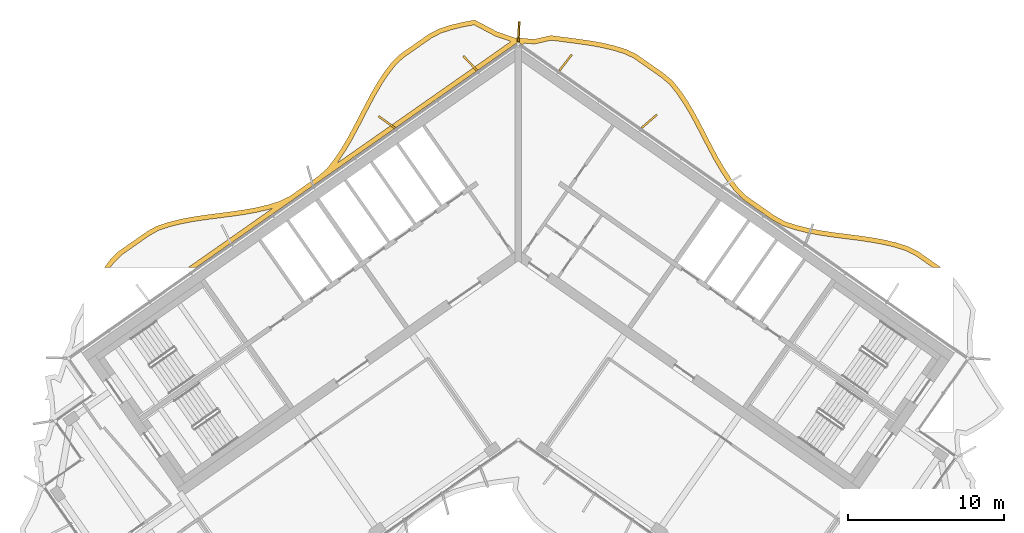
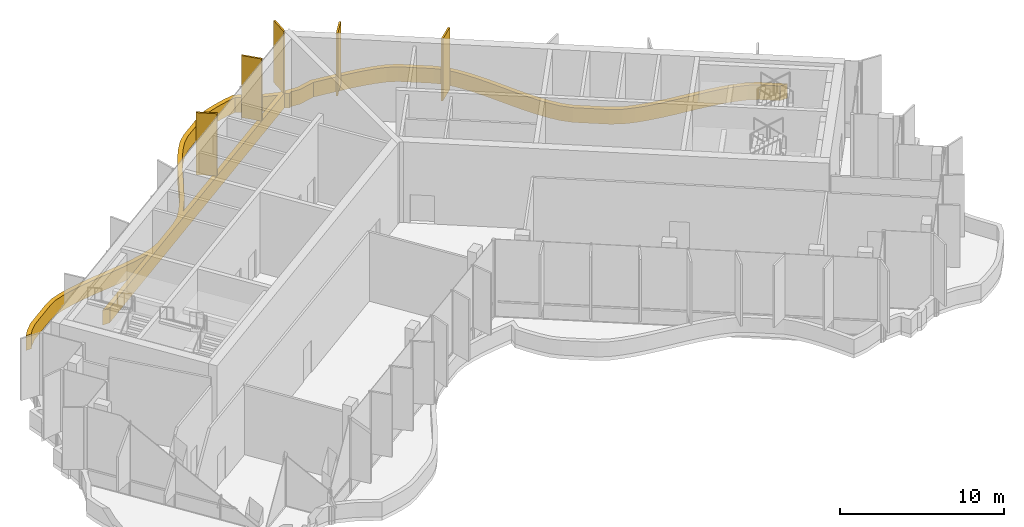
# One storey, part 18 of 18: 6 shading devices.
"""IFC4 building model written with IfcOpenShell, lengths in metres."""

import ifcopenshell
import ifcopenshell.guid

model = None  # the IFC model being written
_history = None  # IfcOwnerHistory: only IFC2X3 demands one
_inside = {}  # id of a spatial element -> (the spatial element, [elements in it])
_under = {}  # id of a project, library or spatial element -> (it, [spatial elements below it])
_declared = {}  # id of a project -> (the project, [libraries it declares])
_typed = {}  # id of a type object -> (the type object, [elements of that type])
_made_of = {}  # id of a material, layer set ... -> (it, [elements and type objects made of it])


def new_model(schema):
    """Start an empty IFC model of exactly this schema.

    Asked for "IFC4X3", IfcOpenShell would pick the latest addendum, in which some entities
    have other attributes; the version numbers below select the first issue.
    IFC2X3 requires an IfcOwnerHistory on every rooted entity: one is made here for all.
    """
    global model, _history
    if schema == "IFC4X3":
        model = ifcopenshell.file(schema_version=(4, 3, 0, 0))
    else:
        model = ifcopenshell.file(schema=schema)
    _inside.clear()
    _under.clear()
    _declared.clear()
    _typed.clear()
    _made_of.clear()
    _history = None
    if model.schema == "IFC2X3":
        org = make("IfcOrganization", Name="unknown")
        user = make(
            "IfcPersonAndOrganization",
            ThePerson=make("IfcPerson", FamilyName="unknown"),
            TheOrganization=org,
        )
        app = make(
            "IfcApplication",
            ApplicationDeveloper=org,
            Version="unknown",
            ApplicationFullName="unknown",
            ApplicationIdentifier="unknown",
        )
        _history = make(
            "IfcOwnerHistory",
            OwningUser=user,
            OwningApplication=app,
            ChangeAction="ADDED",
            CreationDate=0,
        )
    return model


def make(cls, **values):
    """One entity of the class cls with the attributes given. An attribute that is None is left unset."""
    return model.create_entity(
        cls, **{name: value for name, value in values.items() if value is not None}
    )


def rooted(cls, **values):
    """An entity with a GlobalId (a new one), such as an element, a storey or a relation."""
    return make(cls, GlobalId=ifcopenshell.guid.new(), OwnerHistory=_history, **values)


def si_unit(unit_type, name, prefix=None):
    """IfcSIUnit, for example si_unit("LENGTHUNIT", "METRE", prefix="MILLI")."""
    return make("IfcSIUnit", UnitType=unit_type, Prefix=prefix, Name=name)


def assignment(units):
    """IfcUnitAssignment: the units of a project."""
    return None if units is None else make("IfcUnitAssignment", Units=units)


def point(xyz):
    """IfcCartesianPoint."""
    return None if xyz is None else make("IfcCartesianPoint", Coordinates=xyz)


def direction(xyz):
    """IfcDirection."""
    return None if xyz is None else make("IfcDirection", DirectionRatios=xyz)


def frame(location, z_axis=None, x_axis=None):
    """IfcAxis2Placement3D, a coordinate frame: its origin and axes. An axis left out is left unset."""
    return make(
        "IfcAxis2Placement3D",
        Location=point(location),
        Axis=direction(z_axis),
        RefDirection=direction(x_axis),
    )


def frame_2d(location, x_axis=None):
    """IfcAxis2Placement2D, a coordinate frame in the plane: its origin and x axis."""
    return make(
        "IfcAxis2Placement2D", Location=point(location), RefDirection=direction(x_axis)
    )


def origin():
    """The frame at (0, 0, 0) with its axes left unset."""
    return frame((0.0, 0.0, 0.0))


def origin_2d():
    """The frame at (0, 0) in the plane with its x axis left unset."""
    return frame_2d((0.0, 0.0))


def place(relative_to, where):
    """IfcLocalPlacement: puts the frame where relative to a parent placement (None: the world)."""
    return make(
        "IfcLocalPlacement", PlacementRelTo=relative_to, RelativePlacement=where
    )


def context(
    kind, dimensions, precision=None, world=None, true_north=None, identifier=None
):
    """IfcGeometricRepresentationContext, for example the 3D "Model" context."""
    return make(
        "IfcGeometricRepresentationContext",
        ContextIdentifier=identifier,
        ContextType=kind,
        CoordinateSpaceDimension=dimensions,
        Precision=precision,
        WorldCoordinateSystem=world,
        TrueNorth=true_north,
    )


def subcontext(parent, identifier, kind, view, scale=None):
    """IfcGeometricRepresentationSubContext, for example "Body" below "Model"."""
    return make(
        "IfcGeometricRepresentationSubContext",
        ContextIdentifier=identifier,
        ContextType=kind,
        ParentContext=parent,
        TargetScale=scale,
        TargetView=view,
    )


def project(units=None, contexts=None):
    """IfcProject with its units and contexts."""
    return rooted(
        "IfcProject",
        Name="project",
        RepresentationContexts=contexts,
        UnitsInContext=assignment(units),
    )


def spatial(cls, under=None, at=None, **own):
    """A site, building, storey or space (cls), placed at a placement, below another one or the project."""
    s = rooted(cls, ObjectPlacement=at, **own)
    if under is not None:
        _under.setdefault(under.id(), (under, []))[1].append(s)
    return s


def polyline(points):
    """IfcPolyline through the points."""
    return make("IfcPolyline", Points=[point(p) for p in points])


def profile(cls, at=None, kind="AREA", **sizes):
    """A parametric profile (cls). Its sizes go by their IFC names, for example OverallWidth=200.0."""
    return make(cls, ProfileType=kind, Position=at, **sizes)


def rectangle(**sizes):
    """IfcRectangleProfileDef."""
    return profile("IfcRectangleProfileDef", **sizes)


def outline(outer, holes=None, kind="AREA"):
    """IfcArbitraryClosedProfileDef: a profile drawn as a closed curve; with holes, ...WithVoids."""
    if holes is None:
        return make("IfcArbitraryClosedProfileDef", ProfileType=kind, OuterCurve=outer)
    return make(
        "IfcArbitraryProfileDefWithVoids",
        ProfileType=kind,
        OuterCurve=outer,
        InnerCurves=holes,
    )


def extrude(swept, where, along, depth):
    """IfcExtrudedAreaSolid: the profile swept, set in the frame where, extruded along a direction by depth."""
    return make(
        "IfcExtrudedAreaSolid",
        SweptArea=swept,
        Position=where,
        ExtrudedDirection=direction(along),
        Depth=depth,
    )


def shape(context_of_items, identifier, shape_type, items):
    """IfcShapeRepresentation: the items that make up one representation, for example the "Body"."""
    return make(
        "IfcShapeRepresentation",
        ContextOfItems=context_of_items,
        RepresentationIdentifier=identifier,
        RepresentationType=shape_type,
        Items=items,
    )


def material(Name=None, Category=None):
    """IfcMaterial."""
    return make("IfcMaterial", Name=Name, Category=Category)


def layer(
    of_material, thickness, ventilated=None, Name=None, Category=None, Priority=None
):
    """IfcMaterialLayer: one layer of a wall or slab, of a material (None: an air gap)."""
    return make(
        "IfcMaterialLayer",
        Material=of_material,
        LayerThickness=thickness,
        IsVentilated=ventilated,
        Name=Name,
        Category=Category,
        Priority=Priority,
    )


def layer_set(layers, Name=None):
    """IfcMaterialLayerSet."""
    return make("IfcMaterialLayerSet", MaterialLayers=layers, LayerSetName=Name)


def made_of(thing, what):
    """Note that an element or type object is made of a material, layer set ...; save() writes the relation."""
    if what is not None:
        _made_of.setdefault(what.id(), (what, []))[1].append(thing)
    return thing


def type_object(cls, material=None, **own):
    """A type object (cls), such as IfcWallType, which elements share."""
    return made_of(rooted(cls, **own), material)


def element(
    cls,
    number,
    at=None,
    inside=None,
    cuts=None,
    type_object=None,
    material=None,
    context=None,
    identifier="Body",
    shape_type=None,
    held_by="IfcProductDefinitionShape",
    body=None,
    shapes=None,
    **own,
):
    """One element of the class cls, such as IfcWall. Its Tag is "e" and its number.

    at: its placement. inside: the storey or other place that contains it. cuts: it is an
    opening in that element (IfcRelVoidsElement). A single representation is given by context,
    identifier, shape_type and body (its items); several are given by shapes. held_by: the class
    of the entity that holds the representations. save() writes the other relations.
    """
    e = rooted(cls, Tag="e%d" % number, ObjectPlacement=at, **own)
    if body is not None:
        shapes = [shape(context, identifier, shape_type, body)]
    if shapes is not None:
        e.Representation = make(held_by, Representations=shapes)
    if inside is not None:
        _inside.setdefault(inside.id(), (inside, []))[1].append(e)
    if cuts is not None:
        rooted(
            "IfcRelVoidsElement", RelatingBuildingElement=cuts, RelatedOpeningElement=e
        )
    if type_object is not None:
        _typed.setdefault(type_object.id(), (type_object, []))[1].append(e)
    return made_of(e, material)


def aggregate(whole, parts):
    """IfcRelAggregates: a whole, such as a stair, and the parts it consists of."""
    return rooted("IfcRelAggregates", RelatingObject=whole, RelatedObjects=parts)


def save(model, path):
    """Write the relations noted so far, then the file.

    IfcRelAggregates (storeys below a building ...), IfcRelContainedInSpatialStructure (elements
    in a storey), IfcRelDefinesByType, IfcRelAssociatesMaterial and IfcRelDeclares: one each for
    every whole, place, type object, material and project.
    """
    for whole, parts in _under.values():
        aggregate(whole, parts)
    for where, things in _inside.values():
        rooted(
            "IfcRelContainedInSpatialStructure",
            RelatedElements=things,
            RelatingStructure=where,
        )
    for kind, things in _typed.values():
        rooted("IfcRelDefinesByType", RelatedObjects=things, RelatingType=kind)
    for what, things in _made_of.values():
        rooted("IfcRelAssociatesMaterial", RelatedObjects=things, RelatingMaterial=what)
    for by, libraries in _declared.values():
        rooted("IfcRelDeclares", RelatingContext=by, RelatedDefinitions=libraries)
    model.write(path)


model = new_model("IFC4")

# Units and contexts
model_context = context("Model", 3, precision=1e-05, world=origin(), true_north=direction((0.0, 1.0)))
body_context = subcontext(model_context, "Body", "Model", "MODEL_VIEW")
ifc_project = project(units=[si_unit("LENGTHUNIT", "METRE"), si_unit("AREAUNIT", "SQUARE_METRE"), si_unit("VOLUMEUNIT", "CUBIC_METRE"), si_unit("PLANEANGLEUNIT", "RADIAN"), si_unit("MASSUNIT", "GRAM", prefix="KILO")], contexts=[model_context])

# Site, building, storey
site_placement = place(None, origin())
site = spatial("IfcSite", under=ifc_project, at=site_placement, CompositionType="ELEMENT")
building_placement = place(site_placement, origin())
building = spatial("IfcBuilding", under=site, at=building_placement, Name="Tel Ilan Convention Tower", CompositionType="ELEMENT")
storey_placement = place(building_placement, frame((0.0, 0.0, 307.300048828125)))
storey = spatial("IfcBuildingStorey", under=building, at=storey_placement, Name="L73", CompositionType="ELEMENT", Elevation=307.300048828125)

# Shading devices
ifc_material_1 = material(Name="Aluminium, bronze anodised", Category="aluminium")
ifc_layer_1 = layer(ifc_material_1, 0.1201171875)
ifc_layer_set_1 = layer_set([ifc_layer_1], Name="FIN BRONZE 1300x120")
shading_device_type_1 = type_object("IfcShadingDeviceType", Name="FIN BRONZE 1300x120", PredefinedType="USERDEFINED", material=ifc_layer_set_1)
for number, where, z_axis, x_axis, name in (
    (1, (8.3955078125, 7.726806640625, 1.099853515625), (0.0, 0.0, 1.0), (0.753435896329, 0.657521368568, 0.0), "FIN"),
    (2, (3.0322265625, 11.490478515625, 1.099853515625), (0.0, 0.0, 1.0), (0.612600545196, 0.790392669516, 0.0), "FIN"),
    (3, (0.031494140625, 13.4697265625, 1.099853515625), (0.0, 0.0, 1.0), (0.048462378231, 0.998825008646, 0.0), "FIN"),
    (4, (-3.08349609375, 11.454345703125, 1.099853515625), (0.0, 0.0, 1.0), (-0.686241637865, 0.727373641577, 0.0), "FIN"),
    (5, (-8.437744140625, 7.681884765625, 1.099853515625), (0.0, 0.0, 1.0), (-0.813552070258, 0.581492071294, 0.0), "FIN"),
):
    element("IfcShadingDevice", number, at=place(storey_placement, frame(where, z_axis=z_axis, x_axis=x_axis)), inside=storey, type_object=shading_device_type_1, Name=name, ObjectType="FIN", PredefinedType="USERDEFINED", context=body_context, shape_type="SweptSolid", body=[
        extrude(rectangle(XDim=1.300048828125, YDim=0.1201171875, at=origin_2d()), origin(), (0.0, 0.0, 1.0), 4.6201171875),
    ])
ifc_material_2 = material(Name="Aluminium, bronze anodised", Category="aluminium")
ifc_layer_2 = layer(ifc_material_2, 0.300048828125)
ifc_layer_set_2 = layer_set([ifc_layer_2], Name="LOUVRE BAND 300x1100")
shading_device_type_2 = type_object("IfcShadingDeviceType", Name="LOUVRE BAND 300x1100", PredefinedType="USERDEFINED", material=ifc_layer_set_2)
shading_device_placement = place(storey_placement, origin())
element("IfcShadingDevice", 6, at=shading_device_placement, inside=storey, type_object=shading_device_type_2, Name="LOUVRE BAND 55.02", ObjectType="LOUVRE", PredefinedType="USERDEFINED", context=body_context, shape_type="SweptSolid", body=[
    extrude(outline(polyline([(-26.1787109375, -1.1572265625), (-26.535888671875, -1.631591796875), (-26.160400390625, -1.631591796875), (-25.951416015625, -1.35400390625), (-25.457275390625, -0.856689453125), (-23.680908203125, 0.38720703125), (-23.075439453125, 0.7314453125), (-22.38525390625, 0.962158203125), (-21.640625, 1.14990234375), (-20.86181640625, 1.298828125), (-20.0576171875, 1.420166015625), (-18.409423828125, 1.63232421875), (-17.585205078125, 1.750732421875), (-16.773193359375, 1.89599609375), (-15.982666015625, 2.081298828125), (-15.75634765625, 2.151611328125), (-21.159423828125, -1.631591796875), (-20.63623046875, -1.631591796875), (0.0, 12.818115234375), (0.261474609375, 12.635009765625), (0.4140625, 12.741943359375), (1.040771484375, 12.687744140625), (2.10400390625, 12.9296875), (3.699462890625, 12.72509765625), (4.510009765625, 12.60986328125), (5.2978515625, 12.47119140625), (6.054443359375, 12.297119140625), (6.765625, 12.080078125), (7.40185546875, 11.785888671875), (9.17822265625, 10.5419921875), (9.708740234375, 10.0908203125), (10.16162109375, 9.521240234375), (10.5927734375, 8.885498046875), (10.9990234375, 8.204833984375), (11.38818359375, 7.49072265625), (12.151123046875, 6.014404296875), (12.54443359375, 5.2802734375), (12.958740234375, 4.567138671875), (13.403076171875, 3.8876953125), (13.891357421875, 3.245849609375), (14.459716796875, 2.693359375), (16.302978515625, 1.40283203125), (16.991455078125, 1.02587890625), (17.759521484375, 0.773681640625), (18.544921875, 0.579345703125), (19.353271484375, 0.42724609375), (20.176025390625, 0.3046875), (21.826416015625, 0.092529296875), (22.634765625, -0.025146484375), (23.4189453125, -0.167724609375), (24.1708984375, -0.34716796875), (24.873291015625, -0.569580078125), (25.496826171875, -0.88427734375), (26.56396484375, -1.631591796875), (27.087158203125, -1.631591796875), (25.6513671875, -0.626220703125), (24.987060546875, -0.290771484375), (24.2509765625, -0.057861328125), (23.480712890625, 0.1259765625), (22.68310546875, 0.27099609375), (21.8671875, 0.3896484375), (20.21728515625, 0.601806640625), (19.4033203125, 0.72314453125), (18.60888671875, 0.87255859375), (17.842529296875, 1.062255859375), (17.111328125, 1.30224609375), (16.46142578125, 1.657958984375), (14.6513671875, 2.92529296875), (14.116455078125, 3.4453125), (13.648193359375, 4.060791015625), (13.214111328125, 4.724609375), (12.806396484375, 5.426513671875), (12.416748046875, 6.154052734375), (11.653076171875, 7.631591796875), (11.259521484375, 8.353515625), (10.845947265625, 9.046875), (10.403564453125, 9.69921875), (9.925537109375, 10.300537109375), (9.36181640625, 10.77978515625), (7.552001953125, 12.047119140625), (6.872802734375, 12.361083984375), (6.132080078125, 12.587158203125), (5.357666015625, 12.765380859375), (4.55712890625, 12.90625), (3.739501953125, 13.0224609375), (2.08935546875, 13.234130859375), (1.02001953125, 12.99072265625), (0.168701171875, 13.059326171875), (0.11474609375, 13.09521484375), (0.0, 13.1181640625), (-0.11474609375, 13.09521484375), (-0.168701171875, 13.059326171875), (-1.357666015625, 13.472900390625), (-2.785888671875, 14.228515625), (-3.5830078125, 14.083251953125), (-4.3515625, 13.896484375), (-5.0849609375, 13.66015625), (-5.7421875, 13.314453125), (-7.552001953125, 12.047119140625), (-8.09423828125, 11.53759765625), (-8.56494140625, 10.925537109375), (-9.001220703125, 10.264404296875), (-9.410400390625, 9.564697265625), (-9.801025390625, 8.838623046875), (-10.564453125, 7.36083984375), (-10.95703125, 6.63720703125), (-11.369140625, 5.94189453125), (-11.809326171875, 5.28662109375), (-12.284912109375, 4.681640625), (-12.841552734375, 4.192626953125), (-14.6513671875, 2.92529296875), (-15.3232421875, 2.6005859375), (-16.0615234375, 2.370849609375), (-16.833984375, 2.18994140625), (-17.6328125, 2.046875), (-18.44970703125, 1.9296875), (-20.099365234375, 1.71728515625), (-20.91259765625, 1.594482421875), (-21.705322265625, 1.44287109375), (-22.4697265625, 1.250244140625), (-23.1982421875, 1.0068359375), (-23.84130859375, 0.64111328125), (-25.6513671875, -0.626220703125), (-26.1787109375, -1.1572265625)]), holes=[polyline([(-11.609619140625, 5.05517578125), (-11.115234375, 5.78173828125), (-10.696044921875, 6.4892578125), (-10.29931640625, 7.220458984375), (-9.535400390625, 8.69873046875), (-9.148681640625, 9.41796875), (-8.746337890625, 10.106201171875), (-8.320556640625, 10.751220703125), (-7.871337890625, 11.33544921875), (-7.3623046875, 11.813720703125), (-5.585693359375, 13.0576171875), (-4.96826171875, 13.382568359375), (-4.27001953125, 13.607666015625), (-3.520751953125, 13.78955078125), (-2.834228515625, 13.914794921875), (-1.477294921875, 13.19677734375), (-0.4755859375, 12.851318359375), (-11.609619140625, 5.05517578125)])]), origin(), (0.0, 0.0, 1.0), 1.099853515625),
])

save(model, "model.ifc")
